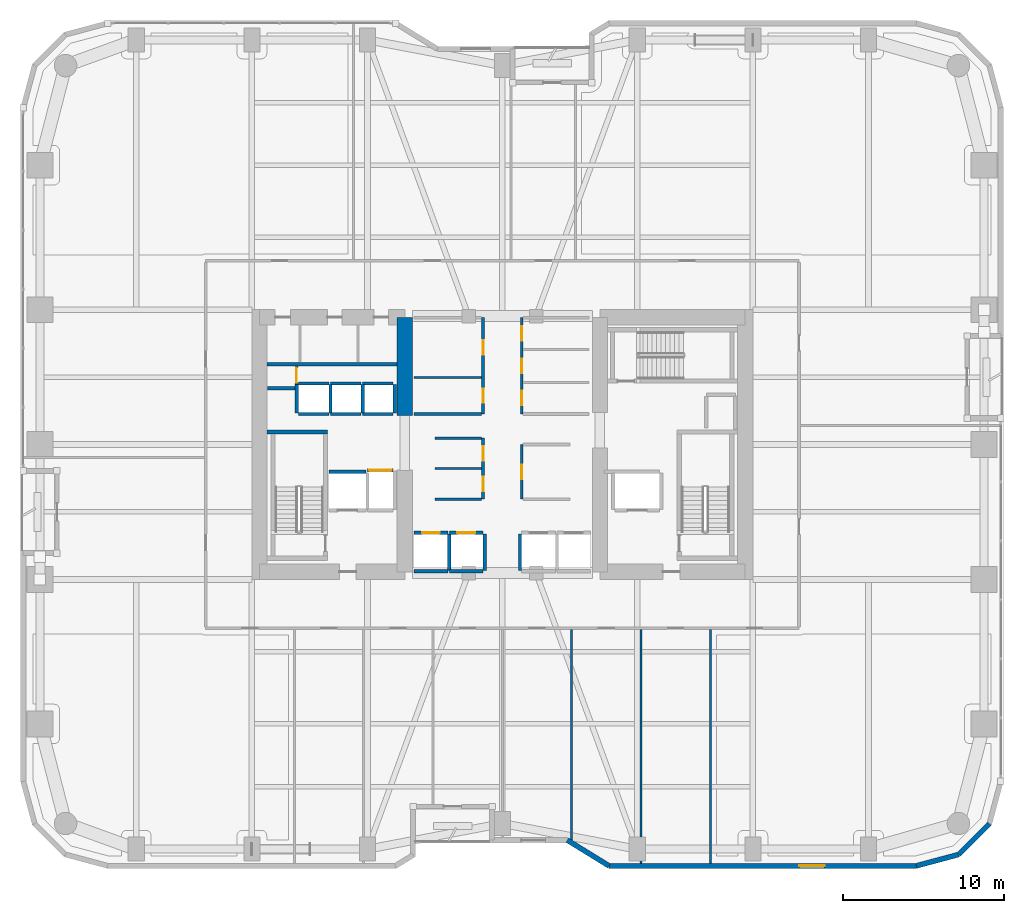
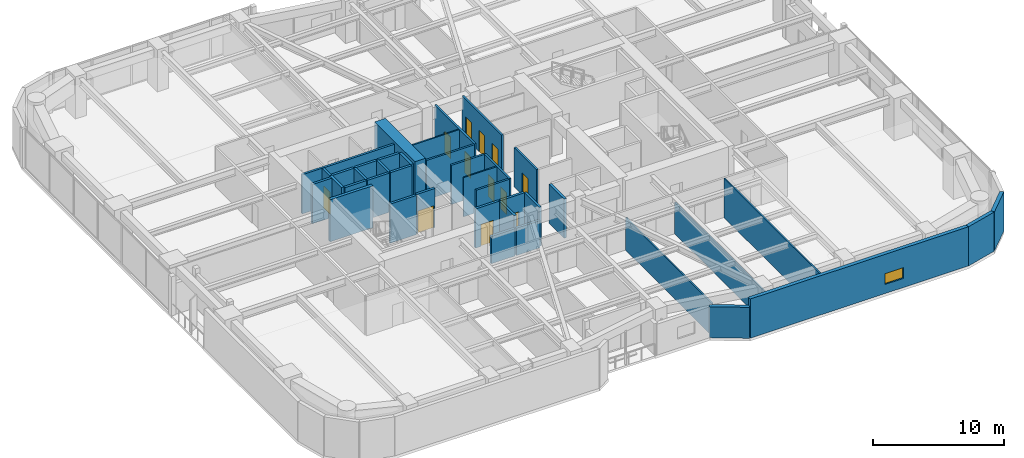
# One storey, part 23 of 28: 40 walls, 12 doors, 1 window, 13 openings.
"""IFC4 building model written with IfcOpenShell, lengths in metres."""

from ifc_helpers import new_model, si_unit, direction, frame, frame_2d, origin, place, context, subcontext, project, spatial, rectangle, extrude, material, layer, layer_set, type_object, element, fill, save


model = new_model("IFC4")

# Units and contexts
model_context = context("Model", 3, precision=1e-05, world=origin(), true_north=direction((0.0, 1.0)))
body_context = subcontext(model_context, "Body", "Model", "MODEL_VIEW")
ifc_project = project(units=[si_unit("LENGTHUNIT", "METRE"), si_unit("AREAUNIT", "SQUARE_METRE"), si_unit("VOLUMEUNIT", "CUBIC_METRE"), si_unit("PLANEANGLEUNIT", "RADIAN"), si_unit("MASSUNIT", "GRAM", prefix="KILO")], contexts=[model_context])

# Site, building, storey
site_placement = place(None, origin())
site = spatial("IfcSite", under=ifc_project, at=site_placement, CompositionType="ELEMENT")
building_placement = place(site_placement, origin())
building = spatial("IfcBuilding", under=site, at=building_placement, Name="Kiyonajd Concourse Tower", CompositionType="ELEMENT")
storey_placement = place(building_placement, frame((0.0, 0.0, 56.699951171875)))
storey = spatial("IfcBuildingStorey", under=building, at=storey_placement, Name="L15", CompositionType="ELEMENT", Elevation=56.699951171875)

# Walls
ifc_material_1 = material(Name="Concrete C80/95", Category="concrete")
ifc_layer_1 = layer(ifc_material_1, 0.949951171875)
ifc_layer_set_1 = layer_set([ifc_layer_1], Name="Concrete C80/95")
wall_type_1 = type_object("IfcWallType", Name="WL-CORE-950", PredefinedType="SHEAR", material=ifc_layer_set_1)
wall_1_placement = place(storey_placement, frame((41.925048828125, 37.800048828125, 0.0), z_axis=(0.0, 0.0, 1.0), x_axis=(0.0, 1.0, 0.0)))
element("IfcWall", 1, at=wall_1_placement, inside=storey, type_object=wall_type_1, Name="L15 West Core Inner North Shear Wall", PredefinedType="SHEAR", context=body_context, shape_type="SweptSolid", body=[
    extrude(rectangle(XDim=6.125, YDim=0.949951171875, at=frame_2d((3.0625, 0.0))), origin(), (0.0, 0.0, 1.0), 3.900146484375),
])
ifc_material_2 = material(Name="Precast concrete C50/60", Category="concrete")
ifc_layer_2 = layer(ifc_material_2, 0.320068359375)
ifc_layer_set_2 = layer_set([ifc_layer_2], Name="Precast concrete C50/60")
wall_type_2 = type_object("IfcWallType", Name="WL-EXT-320", PredefinedType="SOLIDWALL", material=ifc_layer_set_2)
wall_2_placement = place(storey_placement, frame((78.33349609375, 12.3828125, 0.0), z_axis=(0.0, 0.0, 1.0), x_axis=(-0.707106781187, -0.707106781187, 0.0)))
element("IfcWall", 2, at=wall_2_placement, inside=storey, type_object=wall_type_2, Name="L15 Exterior Concrete Frame Wall 26", PredefinedType="SOLIDWALL", context=body_context, shape_type="SweptSolid", body=[
    extrude(rectangle(XDim=2.7099609375, YDim=0.320068359375, at=frame_2d((1.35498046875, 0.0))), origin(), (0.0, 0.0, 1.0), 3.64013671875),
])
wall_3_placement = place(storey_placement, frame((76.417236328125, 10.466552734375, 0.0), z_axis=(0.0, 0.0, 1.0), x_axis=(-0.965964405026, -0.25867502435, 0.0)))
element("IfcWall", 3, at=wall_3_placement, inside=storey, type_object=wall_type_2, Name="L15 Exterior Concrete Frame Wall 27", PredefinedType="SOLIDWALL", context=body_context, shape_type="SweptSolid", body=[
    extrude(rectangle(XDim=2.7314453125, YDim=0.320068359375, at=frame_2d((1.36572265625, 0.0))), origin(), (0.0, 0.0, 1.0), 3.64013671875),
])

# Wall, opening, window
wall_4_placement = place(storey_placement, frame((73.77880859375, 9.760009765625, 0.0), z_axis=(0.0, 0.0, 1.0), x_axis=(-1.0, 0.0, 0.0)))
wall_4 = element("IfcWall", 4, at=wall_4_placement, inside=storey, type_object=wall_type_2, Name="L15 Exterior Concrete Frame Wall 28", PredefinedType="SOLIDWALL", context=body_context, shape_type="SweptSolid", body=[
    extrude(rectangle(XDim=19.133544921875, YDim=0.320068359375, at=frame_2d((9.56689453125, 0.0))), origin(), (0.0, 0.0, 1.0), 3.64013671875),
])
opening_1_placement = place(wall_4_placement, frame((5.7041015625, 0.0, 0.85009765625)))
opening_1 = element("IfcOpeningElement", 5, at=opening_1_placement, cuts=wall_4, Name="Opening WN6", PredefinedType="OPENING", context=body_context, shape_type="SweptSolid", body=[
    extrude(rectangle(XDim=1.60009765625, YDim=1.0, at=frame_2d((0.800048828125, 0.5))), frame((0.0, 0.169921875, 0.0), z_axis=(0.0, -1.0, 0.0), x_axis=(1.0, 0.0, 0.0)), (0.0, 0.0, 1.0), 0.340087890625),
])
ifc_material_3 = material(Name="Double Low-E Insulated Glass", Category="glass")
window_type = type_object("IfcWindowType", Name="WN-VIS-1600x1000", PartitioningType="SINGLE_PANEL", PredefinedType="WINDOW", material=ifc_material_3)
window_placement = place(opening_1_placement, origin())
window = element("IfcWindow", 6, at=window_placement, inside=storey, type_object=window_type, Name="L15 Modular Facade Vision Window 28", OverallHeight=1.0, OverallWidth=1.60009765625, PartitioningType="SINGLE_PANEL", PredefinedType="WINDOW", context=body_context, shape_type="SweptSolid", body=[
    extrude(rectangle(XDim=1.60009765625, YDim=1.0, at=frame_2d((0.800048828125, 0.5))), frame((0.0, 0.030029296875, 0.0), z_axis=(0.0, -1.0, 0.0), x_axis=(1.0, 0.0, 0.0)), (0.0, 0.0, 1.0), 0.06005859375),
])
fill(opening_1, window)

# Walls
wall_5_placement = place(storey_placement, frame((54.645263671875, 9.760009765625, 0.0), z_axis=(0.0, 0.0, 1.0), x_axis=(-0.851630857047, 0.524142044989, 0.0)))
element("IfcWall", 7, at=wall_5_placement, inside=storey, type_object=wall_type_2, Name="L15 Exterior Concrete Frame Wall 29", PredefinedType="SOLIDWALL", context=body_context, shape_type="SweptSolid", body=[
    extrude(rectangle(XDim=3.052734375, YDim=0.320068359375, at=frame_2d((1.5263671875, 0.0))), origin(), (0.0, 0.0, 1.0), 2.875),
])
ifc_material_4 = material(Name="Gypsum Board on Cold-Formed Steel Stud", Category="steel")
ifc_layer_3 = layer(ifc_material_4, 0.125)
ifc_layer_set_3 = layer_set([ifc_layer_3], Name="Gypsum Board on Cold-Formed Steel Stud")
wall_type_3 = type_object("IfcWallType", Name="WL-PART-125", PredefinedType="PARTITIONING", material=ifc_layer_set_3)
wall_6_placement = place(storey_placement, frame((43.800048828125, 34.5, 0.0), z_axis=(0.0, 0.0, 1.0), x_axis=(1.0, 0.0, 0.0)))
element("IfcWall", 8, at=wall_6_placement, inside=storey, type_object=wall_type_3, Name="L15 Interior Partition Wall", PredefinedType="PARTITIONING", context=body_context, shape_type="SweptSolid", body=[
    extrude(rectangle(XDim=2.912841796875, YDim=0.125, at=frame_2d((1.45654296875, 0.0))), origin(), (0.0, 0.0, 1.0), 3.64013671875),
])
wall_7_placement = place(storey_placement, frame((42.5, 40.179931640625, 0.0), z_axis=(0.0, 0.0, 1.0), x_axis=(1.0, 0.0, 0.0)))
element("IfcWall", 9, at=wall_7_placement, inside=storey, type_object=wall_type_3, Name="L15 Interior Partition Wall", PredefinedType="PARTITIONING", context=body_context, shape_type="SweptSolid", body=[
    extrude(rectangle(XDim=4.212890625, YDim=0.125, at=frame_2d((2.1064453125, 0.0))), origin(), (0.0, 0.0, 1.0), 3.64013671875),
])
wall_8_placement = place(storey_placement, frame((52.320068359375, 11.345947265625, 0.0), z_axis=(0.0, 0.0, 1.0), x_axis=(0.0, 1.0, 0.0)))
element("IfcWall", 10, at=wall_8_placement, inside=storey, type_object=wall_type_3, Name="L15 Interior Partition Wall", PredefinedType="PARTITIONING", context=body_context, shape_type="SweptSolid", body=[
    extrude(rectangle(XDim=13.126953125, YDim=0.125, at=frame_2d((6.5634765625, 0.0))), origin(), (0.0, 0.0, 1.0), 3.0029296875),
])
wall_9_placement = place(storey_placement, frame((56.639892578125, 9.9150390625, 0.0), z_axis=(0.0, 0.0, 1.0), x_axis=(0.0, 1.0, 0.0)))
element("IfcWall", 11, at=wall_9_placement, inside=storey, type_object=wall_type_3, Name="L15 Interior Partition Wall", PredefinedType="PARTITIONING", context=body_context, shape_type="SweptSolid", body=[
    extrude(rectangle(XDim=14.557861328125, YDim=0.125, at=frame_2d((7.27880859375, 0.0))), origin(), (0.0, 0.0, 1.0), 2.929931640625),
])
wall_10_placement = place(storey_placement, frame((60.9599609375, 9.9150390625, 0.0), z_axis=(0.0, 0.0, 1.0), x_axis=(0.0, 1.0, 0.0)))
element("IfcWall", 12, at=wall_10_placement, inside=storey, type_object=wall_type_3, Name="L15 Interior Partition Wall", PredefinedType="PARTITIONING", context=body_context, shape_type="SweptSolid", body=[
    extrude(rectangle(XDim=14.557861328125, YDim=0.125, at=frame_2d((7.27880859375, 0.0))), origin(), (0.0, 0.0, 1.0), 3.64013671875),
])
ifc_layer_4 = layer(ifc_material_4, 0.18994140625)
ifc_layer_set_4 = layer_set([ifc_layer_4], Name="Gypsum Board on Cold-Formed Steel Stud")
wall_type_4 = type_object("IfcWallType", Name="WL-PLMB-190", PredefinedType="PLUMBINGWALL", material=ifc_layer_set_4)
wall_11_placement = place(storey_placement, frame((33.35009765625, 41.0, 0.0), z_axis=(0.0, 0.0, 1.0), x_axis=(1.0, 0.0, 0.0)))
element("IfcWall", 13, at=wall_11_placement, inside=storey, type_object=wall_type_4, Name="L15 Interior Partition Wall", PredefinedType="PLUMBINGWALL", context=body_context, shape_type="SweptSolid", body=[
    extrude(rectangle(XDim=8.099853515625, YDim=0.18994140625, at=frame_2d((4.0498046875, 0.0))), origin(), (0.0, 0.0, 1.0), 3.64013671875),
])
ifc_layer_5 = layer(ifc_material_4, 0.2099609375)
ifc_layer_set_5 = layer_set([ifc_layer_5], Name="Gypsum Board on Cold-Formed Steel Stud")
wall_type_5 = type_object("IfcWallType", Name="WL-SHAFT-210", PredefinedType="PARTITIONING", material=ifc_layer_set_5)
wall_12_placement = place(storey_placement, frame((33.360107421875, 39.5, 0.0), z_axis=(0.0, 0.0, 1.0), x_axis=(1.0, 0.0, 0.0)))
element("IfcWall", 14, at=wall_12_placement, inside=storey, type_object=wall_type_5, Name="L15 Shaft Enclosure Wall", PredefinedType="PARTITIONING", context=body_context, shape_type="SweptSolid", body=[
    extrude(rectangle(XDim=1.85986328125, YDim=0.2099609375, at=frame_2d((0.929931640625, 0.0))), origin(), (0.0, 0.0, 1.0), 3.64013671875),
])
wall_13_placement = place(storey_placement, frame((37.199951171875, 34.300048828125, 0.0), z_axis=(0.0, 0.0, 1.0), x_axis=(1.0, 0.0, 0.0)))
element("IfcWall", 15, at=wall_13_placement, inside=storey, type_object=wall_type_5, Name="L15 Shaft Enclosure Wall", PredefinedType="PARTITIONING", context=body_context, shape_type="SweptSolid", body=[
    extrude(rectangle(XDim=2.300048828125, YDim=0.2099609375, at=frame_2d((1.14990234375, 0.0))), origin(), (0.0, 0.0, 1.0), 3.64013671875),
])

# Wall, opening, door
wall_14_placement = place(storey_placement, frame((39.60009765625, 34.39990234375, 0.0), z_axis=(0.0, 0.0, 1.0), x_axis=(1.0, 0.0, 0.0)))
wall_14 = element("IfcWall", 16, at=wall_14_placement, inside=storey, type_object=wall_type_5, Name="L15 Shaft Enclosure Wall", PredefinedType="PARTITIONING", context=body_context, shape_type="SweptSolid", body=[
    extrude(rectangle(XDim=1.599853515625, YDim=0.2099609375, at=frame_2d((0.7998046875, 0.0))), origin(), (0.0, 0.0, 1.0), 3.64013671875),
])
opening_2_placement = place(wall_14_placement, frame((0.10009765625, 0.0, 0.0)))
opening_2 = element("IfcOpeningElement", 17, at=opening_2_placement, cuts=wall_14, Name="Opening LD3", PredefinedType="OPENING", context=body_context, shape_type="SweptSolid", body=[
    extrude(rectangle(XDim=1.39990234375, YDim=2.06005859375, at=frame_2d((0.699951171875, 1.030029296875))), frame((0.0, 0.114990234375, 0.0), z_axis=(0.0, -1.0, 0.0), x_axis=(1.0, 0.0, 0.0)), (0.0, 0.0, 1.0), 0.22998046875),
])
ifc_material_5 = material(Name="Brushed Stainless Steel Cab Assembly", Category="steel")
door_type_1 = type_object("IfcDoorType", Name="DR-LD-1400", OperationType="DOUBLE_DOOR_SLIDING", PredefinedType="DOOR", material=ifc_material_5)
door_1_placement = place(opening_2_placement, origin())
door_1 = element("IfcDoor", 18, at=door_1_placement, inside=storey, type_object=door_type_1, Name="L15 Lift SVL1 Sliding Landing Door", OperationType="DOUBLE_DOOR_SLIDING", OverallHeight=2.06005859375, OverallWidth=1.39990234375, PredefinedType="DOOR", context=body_context, shape_type="SweptSolid", body=[
    extrude(rectangle(XDim=1.39990234375, YDim=2.06005859375, at=frame_2d((0.699951171875, 1.030029296875))), frame((0.0, 0.02490234375, 0.0), z_axis=(0.0, -1.0, 0.0), x_axis=(1.0, 0.0, 0.0)), (0.0, 0.0, 1.0), 0.050048828125),
])
fill(opening_2, door_1)

wall_15_placement = place(storey_placement, frame((42.5, 30.5, 0.0), z_axis=(0.0, 0.0, 1.0), x_axis=(1.0, 0.0, 0.0)))
wall_15 = element("IfcWall", 19, at=wall_15_placement, inside=storey, type_object=wall_type_5, Name="L15 Shaft Enclosure Wall", PredefinedType="PARTITIONING", context=body_context, shape_type="SweptSolid", body=[
    extrude(rectangle(XDim=2.10009765625, YDim=0.2099609375, at=frame_2d((1.050048828125, 0.0))), origin(), (0.0, 0.0, 1.0), 3.64013671875),
])
opening_3_placement = place(wall_15_placement, frame((0.5, 0.0, 0.0)))
opening_3 = element("IfcOpeningElement", 20, at=opening_3_placement, cuts=wall_15, Name="Opening LD1", PredefinedType="OPENING", context=body_context, shape_type="SweptSolid", body=[
    extrude(rectangle(XDim=1.10009765625, YDim=2.0400390625, at=frame_2d((0.550048828125, 1.02001953125))), frame((0.0, 0.114990234375, 0.0), z_axis=(0.0, -1.0, 0.0), x_axis=(1.0, 0.0, 0.0)), (0.0, 0.0, 1.0), 0.22998046875),
])
door_type_2 = type_object("IfcDoorType", Name="DR-LD-1100", OperationType="DOUBLE_DOOR_SLIDING", PredefinedType="DOOR", material=ifc_material_5)
door_2_placement = place(opening_3_placement, origin())
door_2 = element("IfcDoor", 21, at=door_2_placement, inside=storey, type_object=door_type_2, Name="L15 Lift PL-L1 Sliding Landing Door", OperationType="DOUBLE_DOOR_SLIDING", OverallHeight=2.0400390625, OverallWidth=1.10009765625, PredefinedType="DOOR", context=body_context, shape_type="SweptSolid", body=[
    extrude(rectangle(XDim=1.10009765625, YDim=2.0400390625, at=frame_2d((0.550048828125, 1.02001953125))), frame((0.0, 0.02490234375, 0.0), z_axis=(0.0, -1.0, 0.0), x_axis=(1.0, 0.0, 0.0)), (0.0, 0.0, 1.0), 0.050048828125),
])
fill(opening_3, door_2)

# Walls
wall_16_placement = place(storey_placement, frame((42.5, 28.10009765625, 0.0), z_axis=(0.0, 0.0, 1.0), x_axis=(1.0, 0.0, 0.0)))
element("IfcWall", 22, at=wall_16_placement, inside=storey, type_object=wall_type_5, Name="L15 Shaft Enclosure Wall", PredefinedType="PARTITIONING", context=body_context, shape_type="SweptSolid", body=[
    extrude(rectangle(XDim=2.10009765625, YDim=0.2099609375, at=frame_2d((1.050048828125, 0.0))), origin(), (0.0, 0.0, 1.0), 2.525146484375),
])
wall_17_placement = place(storey_placement, frame((44.699951171875, 28.159912109375, 0.0), z_axis=(0.0, 0.0, 1.0), x_axis=(0.0, 1.0, 0.0)))
element("IfcWall", 23, at=wall_17_placement, inside=storey, type_object=wall_type_5, Name="L15 Shaft Enclosure Wall", PredefinedType="PARTITIONING", context=body_context, shape_type="SweptSolid", body=[
    extrude(rectangle(XDim=2.280029296875, YDim=0.2099609375, at=frame_2d((1.14013671875, 0.0))), origin(), (0.0, 0.0, 1.0), 3.64013671875),
])

# Wall, opening, door
wall_18_placement = place(storey_placement, frame((44.699951171875, 30.5, 0.0), z_axis=(0.0, 0.0, 1.0), x_axis=(1.0, 0.0, 0.0)))
wall_18 = element("IfcWall", 24, at=wall_18_placement, inside=storey, type_object=wall_type_5, Name="L15 Shaft Enclosure Wall", PredefinedType="PARTITIONING", context=body_context, shape_type="SweptSolid", body=[
    extrude(rectangle(XDim=2.10009765625, YDim=0.2099609375, at=frame_2d((1.050048828125, 0.0))), origin(), (0.0, 0.0, 1.0), 3.64013671875),
])
opening_4_placement = place(wall_18_placement, frame((0.5, 0.0, 0.0)))
opening_4 = element("IfcOpeningElement", 25, at=opening_4_placement, cuts=wall_18, Name="Opening LD1", PredefinedType="OPENING", context=body_context, shape_type="SweptSolid", body=[
    extrude(rectangle(XDim=1.10009765625, YDim=2.0400390625, at=frame_2d((0.550048828125, 1.02001953125))), frame((0.0, 0.114990234375, 0.0), z_axis=(0.0, -1.0, 0.0), x_axis=(1.0, 0.0, 0.0)), (0.0, 0.0, 1.0), 0.22998046875),
])
door_3_placement = place(opening_4_placement, origin())
door_3 = element("IfcDoor", 26, at=door_3_placement, inside=storey, type_object=door_type_2, Name="L15 Lift PL-L2 Sliding Landing Door", OperationType="DOUBLE_DOOR_SLIDING", OverallHeight=2.0400390625, OverallWidth=1.10009765625, PredefinedType="DOOR", context=body_context, shape_type="SweptSolid", body=[
    extrude(rectangle(XDim=1.10009765625, YDim=2.0400390625, at=frame_2d((0.550048828125, 1.02001953125))), frame((0.0, 0.02490234375, 0.0), z_axis=(0.0, -1.0, 0.0), x_axis=(1.0, 0.0, 0.0)), (0.0, 0.0, 1.0), 0.050048828125),
])
fill(opening_4, door_3)

# Walls
wall_19_placement = place(storey_placement, frame((44.699951171875, 28.10009765625, 0.0), z_axis=(0.0, 0.0, 1.0), x_axis=(1.0, 0.0, 0.0)))
element("IfcWall", 27, at=wall_19_placement, inside=storey, type_object=wall_type_5, Name="L15 Shaft Enclosure Wall", PredefinedType="PARTITIONING", context=body_context, shape_type="SweptSolid", body=[
    extrude(rectangle(XDim=2.10009765625, YDim=0.2099609375, at=frame_2d((1.050048828125, 0.0))), origin(), (0.0, 0.0, 1.0), 2.525146484375),
])
for number, where, z_axis, x_axis, name in (
    (28, (46.89990234375, 28.159912109375, 0.0), (0.0, 0.0, 1.0), (0.0, 1.0, 0.0), "L15 Shaft Enclosure Wall"),
    (29, (49.10009765625, 28.159912109375, 0.0), (0.0, 0.0, 1.0), (0.0, 1.0, 0.0), "L15 Shaft Enclosure Wall"),
):
    element("IfcWall", number, at=place(storey_placement, frame(where, z_axis=z_axis, x_axis=x_axis)), inside=storey, type_object=wall_type_5, Name=name, PredefinedType="PARTITIONING", context=body_context, shape_type="SweptSolid", body=[
        extrude(rectangle(XDim=2.280029296875, YDim=0.2099609375, at=frame_2d((1.14013671875, 0.0))), origin(), (0.0, 0.0, 1.0), 3.64013671875),
    ])
for number, where, z_axis, x_axis, name in (
    (30, (35.300048828125, 37.89990234375, 0.0), (0.0, 0.0, 1.0), (1.0, 0.0, 0.0), "L15 Shaft Enclosure Wall"),
    (31, (35.300048828125, 39.800048828125, 0.0), (0.0, 0.0, 1.0), (1.0, 0.0, 0.0), "L15 Shaft Enclosure Wall"),
):
    element("IfcWall", number, at=place(storey_placement, frame(where, z_axis=z_axis, x_axis=x_axis)), inside=storey, type_object=wall_type_5, Name=name, PredefinedType="PARTITIONING", context=body_context, shape_type="SweptSolid", body=[
        extrude(rectangle(XDim=1.89990234375, YDim=0.2099609375, at=frame_2d((0.949951171875, 0.0))), origin(), (0.0, 0.0, 1.0), 3.64013671875),
    ])
for number, where, z_axis, x_axis, name in (
    (32, (35.199951171875, 37.9599609375, 0.0), (0.0, 0.0, 1.0), (0.0, 1.0, 0.0), "L15 Shaft Enclosure Wall"),
    (33, (37.300048828125, 37.9599609375, 0.0), (0.0, 0.0, 1.0), (0.0, 1.0, 0.0), "L15 Shaft Enclosure Wall"),
):
    element("IfcWall", number, at=place(storey_placement, frame(where, z_axis=z_axis, x_axis=x_axis)), inside=storey, type_object=wall_type_5, Name=name, PredefinedType="PARTITIONING", context=body_context, shape_type="SweptSolid", body=[
        extrude(rectangle(XDim=1.780029296875, YDim=0.2099609375, at=frame_2d((0.89013671875, 0.0))), origin(), (0.0, 0.0, 1.0), 3.64013671875),
    ])
for number, where, z_axis, x_axis, name in (
    (34, (37.300048828125, 37.89990234375, 0.0), (0.0, 0.0, 1.0), (1.0, 0.0, 0.0), "L15 Shaft Enclosure Wall"),
    (35, (37.300048828125, 39.800048828125, 0.0), (0.0, 0.0, 1.0), (1.0, 0.0, 0.0), "L15 Shaft Enclosure Wall"),
):
    element("IfcWall", number, at=place(storey_placement, frame(where, z_axis=z_axis, x_axis=x_axis)), inside=storey, type_object=wall_type_5, Name=name, PredefinedType="PARTITIONING", context=body_context, shape_type="SweptSolid", body=[
        extrude(rectangle(XDim=1.89990234375, YDim=0.2099609375, at=frame_2d((0.949951171875, 0.0))), origin(), (0.0, 0.0, 1.0), 3.64013671875),
    ])
wall_20_placement = place(storey_placement, frame((39.300048828125, 37.9599609375, 0.0), z_axis=(0.0, 0.0, 1.0), x_axis=(0.0, 1.0, 0.0)))
element("IfcWall", 36, at=wall_20_placement, inside=storey, type_object=wall_type_5, Name="L15 Shaft Enclosure Wall", PredefinedType="PARTITIONING", context=body_context, shape_type="SweptSolid", body=[
    extrude(rectangle(XDim=1.780029296875, YDim=0.2099609375, at=frame_2d((0.89013671875, 0.0))), origin(), (0.0, 0.0, 1.0), 3.64013671875),
])
for number, where, z_axis, x_axis, name in (
    (37, (39.300048828125, 37.89990234375, 0.0), (0.0, 0.0, 1.0), (1.0, 0.0, 0.0), "L15 Shaft Enclosure Wall"),
    (38, (39.300048828125, 39.800048828125, 0.0), (0.0, 0.0, 1.0), (1.0, 0.0, 0.0), "L15 Shaft Enclosure Wall"),
):
    element("IfcWall", number, at=place(storey_placement, frame(where, z_axis=z_axis, x_axis=x_axis)), inside=storey, type_object=wall_type_5, Name=name, PredefinedType="PARTITIONING", context=body_context, shape_type="SweptSolid", body=[
        extrude(rectangle(XDim=1.89990234375, YDim=0.2099609375, at=frame_2d((0.949951171875, 0.0))), origin(), (0.0, 0.0, 1.0), 3.64013671875),
    ])
wall_21_placement = place(storey_placement, frame((41.300048828125, 37.9599609375, 0.0), z_axis=(0.0, 0.0, 1.0), x_axis=(0.0, 1.0, 0.0)))
element("IfcWall", 39, at=wall_21_placement, inside=storey, type_object=wall_type_5, Name="L15 Shaft Enclosure Wall", PredefinedType="PARTITIONING", context=body_context, shape_type="SweptSolid", body=[
    extrude(rectangle(XDim=1.780029296875, YDim=0.2099609375, at=frame_2d((0.89013671875, 0.0))), origin(), (0.0, 0.0, 1.0), 3.64013671875),
])

# Wall, opening, door
wall_22_placement = place(storey_placement, frame((35.179931640625, 39.739990234375, 0.0), z_axis=(0.0, 0.0, 1.0), x_axis=(0.0, 1.0, 0.0)))
wall_22 = element("IfcWall", 40, at=wall_22_placement, inside=storey, type_object=wall_type_5, Name="L15 Interior Partition Wall", PredefinedType="PARTITIONING", context=body_context, shape_type="SweptSolid", body=[
    extrude(rectangle(XDim=1.159912109375, YDim=0.2099609375, at=frame_2d((0.580078125, 0.0))), origin(), (0.0, 0.0, 1.0), 3.64013671875),
])
opening_5_placement = place(wall_22_placement, frame((0.10498046875, 0.0, 0.0)))
opening_5 = element("IfcOpeningElement", 41, at=opening_5_placement, cuts=wall_22, Name="Opening DF3", PredefinedType="OPENING", context=body_context, shape_type="SweptSolid", body=[
    extrude(rectangle(XDim=0.949951171875, YDim=2.0400390625, at=frame_2d((0.47509765625, 1.02001953125))), frame((0.0, 0.114990234375, 0.0), z_axis=(0.0, -1.0, 0.0), x_axis=(1.0, 0.0, 0.0)), (0.0, 0.0, 1.0), 0.22998046875),
])
door_type_3 = type_object("IfcDoorType", Name="DR-FD60-950", OperationType="NOTDEFINED", PredefinedType="DOOR", material=ifc_material_5)
door_4_placement = place(opening_5_placement, origin())
door_4 = element("IfcDoor", 42, at=door_4_placement, inside=storey, type_object=door_type_3, Name="L15 Electrical Riser Access Door", OperationType="SINGLE_SWING_LEFT", OverallHeight=2.0400390625, OverallWidth=0.949951171875, PredefinedType="DOOR", context=body_context, shape_type="SweptSolid", body=[
    extrude(rectangle(XDim=0.949951171875, YDim=2.0400390625, at=frame_2d((0.47509765625, 1.02001953125))), frame((0.0, 0.02490234375, 0.0), z_axis=(0.0, -1.0, 0.0), x_axis=(1.0, 0.0, 0.0)), (0.0, 0.0, 1.0), 0.050048828125),
])
fill(opening_5, door_4)

# Wall, openings, doors
ifc_layer_6 = layer(ifc_material_4, 0.169921875)
ifc_layer_set_6 = layer_set([ifc_layer_6], Name="Gypsum Board on Cold-Formed Steel Stud")
wall_type_6 = type_object("IfcWallType", Name="WL-SMK-170", PredefinedType="PARTITIONING", material=ifc_layer_set_6)
wall_23_placement = place(storey_placement, frame((46.800048828125, 32.60009765625, 0.0), z_axis=(0.0, 0.0, 1.0), x_axis=(0.0, 1.0, 0.0)))
wall_23 = element("IfcWall", 43, at=wall_23_placement, inside=storey, type_object=wall_type_6, Name="L15 Interior Partition Wall", PredefinedType="PARTITIONING", context=body_context, shape_type="SweptSolid", body=[
    extrude(rectangle(XDim=3.7998046875, YDim=0.169921875, at=frame_2d((1.89990234375, 0.0))), origin(), (0.0, 0.0, 1.0), 3.64013671875),
])
opening_6_placement = place(wall_23_placement, frame((0.5, 0.0, 0.0)))
opening_6 = element("IfcOpeningElement", 44, at=opening_6_placement, cuts=wall_23, Name="Opening DI2", PredefinedType="OPENING", context=body_context, shape_type="SweptSolid", body=[
    extrude(rectangle(XDim=0.89990234375, YDim=2.02001953125, at=frame_2d((0.449951171875, 1.010009765625))), frame((0.0, 0.094970703125, 0.0), z_axis=(0.0, -1.0, 0.0), x_axis=(1.0, 0.0, 0.0)), (0.0, 0.0, 1.0), 0.18994140625),
])
opening_7_placement = place(wall_23_placement, frame((2.39990234375, 0.0, 0.0)))
opening_7 = element("IfcOpeningElement", 45, at=opening_7_placement, cuts=wall_23, Name="Opening DI2", PredefinedType="OPENING", context=body_context, shape_type="SweptSolid", body=[
    extrude(rectangle(XDim=0.89990234375, YDim=2.02001953125, at=frame_2d((0.449951171875, 1.010009765625))), frame((0.0, 0.094970703125, 0.0), z_axis=(0.0, -1.0, 0.0), x_axis=(1.0, 0.0, 0.0)), (0.0, 0.0, 1.0), 0.18994140625),
])
ifc_material_6 = material(Name="Natural Oak Acoustic Timber Veneer", Category="wood")
door_type_4 = type_object("IfcDoorType", Name="DR-INT-900", OperationType="NOTDEFINED", PredefinedType="DOOR", material=ifc_material_6)
door_5_placement = place(opening_6_placement, origin())
door_5 = element("IfcDoor", 46, at=door_5_placement, inside=storey, type_object=door_type_4, Name="L15 Interior Door", OperationType="SINGLE_SWING_LEFT", OverallHeight=2.02001953125, OverallWidth=0.89990234375, PredefinedType="DOOR", context=body_context, shape_type="SweptSolid", body=[
    extrude(rectangle(XDim=0.89990234375, YDim=2.02001953125, at=frame_2d((0.449951171875, 1.010009765625))), frame((0.0, 0.02490234375, 0.0), z_axis=(0.0, -1.0, 0.0), x_axis=(1.0, 0.0, 0.0)), (0.0, 0.0, 1.0), 0.050048828125),
])
fill(opening_6, door_5)
door_6_placement = place(opening_7_placement, origin())
door_6 = element("IfcDoor", 47, at=door_6_placement, inside=storey, type_object=door_type_4, Name="L15 Interior Door", OperationType="SINGLE_SWING_RIGHT", OverallHeight=2.02001953125, OverallWidth=0.89990234375, PredefinedType="DOOR", context=body_context, shape_type="SweptSolid", body=[
    extrude(rectangle(XDim=0.89990234375, YDim=2.02001953125, at=frame_2d((0.449951171875, 1.010009765625))), frame((0.0, 0.02490234375, 0.0), z_axis=(0.0, -1.0, 0.0), x_axis=(1.0, 0.0, 0.0)), (0.0, 0.0, 1.0), 0.050048828125),
])
fill(opening_7, door_6)

# Walls
for number, where, z_axis, x_axis, name in (
    (48, (43.800048828125, 32.60009765625, 0.0), (0.0, 0.0, 1.0), (1.0, 0.0, 0.0), "L15 Interior Partition Wall"),
    (49, (43.800048828125, 36.39990234375, 0.0), (0.0, 0.0, 1.0), (1.0, 0.0, 0.0), "L15 Interior Partition Wall"),
):
    element("IfcWall", number, at=place(storey_placement, frame(where, z_axis=z_axis, x_axis=x_axis)), inside=storey, type_object=wall_type_6, Name=name, PredefinedType="PARTITIONING", context=body_context, shape_type="SweptSolid", body=[
        extrude(rectangle(XDim=2.912841796875, YDim=0.169921875, at=frame_2d((1.45654296875, 0.0))), origin(), (0.0, 0.0, 1.0), 3.64013671875),
    ])

# Wall, opening, door
wall_24_placement = place(storey_placement, frame((49.199951171875, 32.60009765625, 0.0), z_axis=(0.0, 0.0, 1.0), x_axis=(0.0, 1.0, 0.0)))
wall_24 = element("IfcWall", 50, at=wall_24_placement, inside=storey, type_object=wall_type_6, Name="L15 Interior Partition Wall", PredefinedType="PARTITIONING", context=body_context, shape_type="SweptSolid", body=[
    extrude(rectangle(XDim=3.39990234375, YDim=0.169921875, at=frame_2d((1.699951171875, 0.0))), origin(), (0.0, 0.0, 1.0), 3.64013671875),
])
opening_8_placement = place(wall_24_placement, frame((1.25, 0.0, 0.0)))
opening_8 = element("IfcOpeningElement", 51, at=opening_8_placement, cuts=wall_24, Name="Opening DI2", PredefinedType="OPENING", context=body_context, shape_type="SweptSolid", body=[
    extrude(rectangle(XDim=0.89990234375, YDim=2.02001953125, at=frame_2d((0.449951171875, 1.010009765625))), frame((0.0, 0.094970703125, 0.0), z_axis=(0.0, -1.0, 0.0), x_axis=(1.0, 0.0, 0.0)), (0.0, 0.0, 1.0), 0.18994140625),
])
door_7_placement = place(opening_8_placement, origin())
door_7 = element("IfcDoor", 52, at=door_7_placement, inside=storey, type_object=door_type_4, Name="L15 Interior Door", OperationType="SINGLE_SWING_LEFT", OverallHeight=2.02001953125, OverallWidth=0.89990234375, PredefinedType="DOOR", context=body_context, shape_type="SweptSolid", body=[
    extrude(rectangle(XDim=0.89990234375, YDim=2.02001953125, at=frame_2d((0.449951171875, 1.010009765625))), frame((0.0, 0.02490234375, 0.0), z_axis=(0.0, -1.0, 0.0), x_axis=(1.0, 0.0, 0.0)), (0.0, 0.0, 1.0), 0.050048828125),
])
fill(opening_8, door_7)

# Wall, openings, doors
wall_25_placement = place(storey_placement, frame((46.800048828125, 37.89990234375, 0.0), z_axis=(0.0, 0.0, 1.0), x_axis=(0.0, 1.0, 0.0)))
wall_25 = element("IfcWall", 53, at=wall_25_placement, inside=storey, type_object=wall_type_6, Name="L15 Interior Partition Wall", PredefinedType="PARTITIONING", context=body_context, shape_type="SweptSolid", body=[
    extrude(rectangle(XDim=6.0, YDim=0.169921875, at=frame_2d((3.0, 0.0))), origin(), (0.0, 0.0, 1.0), 3.64013671875),
])
opening_9_placement = place(wall_25_placement, frame((0.68994140625, 0.0, 0.0)))
opening_9 = element("IfcOpeningElement", 54, at=opening_9_placement, cuts=wall_25, Name="Opening DI2", PredefinedType="OPENING", context=body_context, shape_type="SweptSolid", body=[
    extrude(rectangle(XDim=0.89990234375, YDim=2.02001953125, at=frame_2d((0.449951171875, 1.010009765625))), frame((0.0, 0.094970703125, 0.0), z_axis=(0.0, -1.0, 0.0), x_axis=(1.0, 0.0, 0.0)), (0.0, 0.0, 1.0), 0.18994140625),
])
opening_10_placement = place(wall_25_placement, frame((3.68994140625, 0.0, 0.0)))
opening_10 = element("IfcOpeningElement", 55, at=opening_10_placement, cuts=wall_25, Name="Opening DI2", PredefinedType="OPENING", context=body_context, shape_type="SweptSolid", body=[
    extrude(rectangle(XDim=0.89990234375, YDim=2.02001953125, at=frame_2d((0.449951171875, 1.010009765625))), frame((0.0, 0.094970703125, 0.0), z_axis=(0.0, -1.0, 0.0), x_axis=(1.0, 0.0, 0.0)), (0.0, 0.0, 1.0), 0.18994140625),
])
door_8_placement = place(opening_9_placement, origin())
door_8 = element("IfcDoor", 56, at=door_8_placement, inside=storey, type_object=door_type_4, Name="L15 Interior Door", OperationType="SINGLE_SWING_RIGHT", OverallHeight=2.02001953125, OverallWidth=0.89990234375, PredefinedType="DOOR", context=body_context, shape_type="SweptSolid", body=[
    extrude(rectangle(XDim=0.89990234375, YDim=2.02001953125, at=frame_2d((0.449951171875, 1.010009765625))), frame((0.0, 0.02490234375, 0.0), z_axis=(0.0, -1.0, 0.0), x_axis=(1.0, 0.0, 0.0)), (0.0, 0.0, 1.0), 0.050048828125),
])
fill(opening_9, door_8)
door_9_placement = place(opening_10_placement, origin())
door_9 = element("IfcDoor", 57, at=door_9_placement, inside=storey, type_object=door_type_4, Name="L15 Interior Door", OperationType="SINGLE_SWING_LEFT", OverallHeight=2.02001953125, OverallWidth=0.89990234375, PredefinedType="DOOR", context=body_context, shape_type="SweptSolid", body=[
    extrude(rectangle(XDim=0.89990234375, YDim=2.02001953125, at=frame_2d((0.449951171875, 1.010009765625))), frame((0.0, 0.02490234375, 0.0), z_axis=(0.0, -1.0, 0.0), x_axis=(1.0, 0.0, 0.0)), (0.0, 0.0, 1.0), 0.050048828125),
])
fill(opening_10, door_9)

# Wall
wall_26_placement = place(storey_placement, frame((42.5, 37.89990234375, 0.0), z_axis=(0.0, 0.0, 1.0), x_axis=(1.0, 0.0, 0.0)))
element("IfcWall", 58, at=wall_26_placement, inside=storey, type_object=wall_type_6, Name="L15 Interior Partition Wall", PredefinedType="PARTITIONING", context=body_context, shape_type="SweptSolid", body=[
    extrude(rectangle(XDim=4.212890625, YDim=0.169921875, at=frame_2d((2.1064453125, 0.0))), origin(), (0.0, 0.0, 1.0), 3.64013671875),
])

# Wall, openings, doors
wall_27_placement = place(storey_placement, frame((49.199951171875, 37.89990234375, 0.0), z_axis=(0.0, 0.0, 1.0), x_axis=(0.0, 1.0, 0.0)))
wall_27 = element("IfcWall", 59, at=wall_27_placement, inside=storey, type_object=wall_type_6, Name="L15 Interior Partition Wall", PredefinedType="PARTITIONING", context=body_context, shape_type="SweptSolid", body=[
    extrude(rectangle(XDim=6.0, YDim=0.169921875, at=frame_2d((3.0, 0.0))), origin(), (0.0, 0.0, 1.0), 3.64013671875),
])
opening_11_placement = place(wall_27_placement, frame((0.5400390625, 0.0, 0.0)))
opening_11 = element("IfcOpeningElement", 60, at=opening_11_placement, cuts=wall_27, Name="Opening DI2", PredefinedType="OPENING", context=body_context, shape_type="SweptSolid", body=[
    extrude(rectangle(XDim=0.89990234375, YDim=2.02001953125, at=frame_2d((0.449951171875, 1.010009765625))), frame((0.0, 0.094970703125, 0.0), z_axis=(0.0, -1.0, 0.0), x_axis=(1.0, 0.0, 0.0)), (0.0, 0.0, 1.0), 0.18994140625),
])
opening_12_placement = place(wall_27_placement, frame((2.550048828125, 0.0, 0.0)))
opening_12 = element("IfcOpeningElement", 61, at=opening_12_placement, cuts=wall_27, Name="Opening DI2", PredefinedType="OPENING", context=body_context, shape_type="SweptSolid", body=[
    extrude(rectangle(XDim=0.89990234375, YDim=2.02001953125, at=frame_2d((0.449951171875, 1.010009765625))), frame((0.0, 0.094970703125, 0.0), z_axis=(0.0, -1.0, 0.0), x_axis=(1.0, 0.0, 0.0)), (0.0, 0.0, 1.0), 0.18994140625),
])
opening_13_placement = place(wall_27_placement, frame((4.56005859375, 0.0, 0.0)))
opening_13 = element("IfcOpeningElement", 62, at=opening_13_placement, cuts=wall_27, Name="Opening DI2", PredefinedType="OPENING", context=body_context, shape_type="SweptSolid", body=[
    extrude(rectangle(XDim=0.89990234375, YDim=2.02001953125, at=frame_2d((0.449951171875, 1.010009765625))), frame((0.0, 0.094970703125, 0.0), z_axis=(0.0, -1.0, 0.0), x_axis=(1.0, 0.0, 0.0)), (0.0, 0.0, 1.0), 0.18994140625),
])
door_10_placement = place(opening_11_placement, origin())
door_10 = element("IfcDoor", 63, at=door_10_placement, inside=storey, type_object=door_type_4, Name="L15 Interior Door", OperationType="SINGLE_SWING_RIGHT", OverallHeight=2.02001953125, OverallWidth=0.89990234375, PredefinedType="DOOR", context=body_context, shape_type="SweptSolid", body=[
    extrude(rectangle(XDim=0.89990234375, YDim=2.02001953125, at=frame_2d((0.449951171875, 1.010009765625))), frame((0.0, 0.02490234375, 0.0), z_axis=(0.0, -1.0, 0.0), x_axis=(1.0, 0.0, 0.0)), (0.0, 0.0, 1.0), 0.050048828125),
])
fill(opening_11, door_10)
door_11_placement = place(opening_12_placement, origin())
door_11 = element("IfcDoor", 64, at=door_11_placement, inside=storey, type_object=door_type_4, Name="L15 Interior Door", OperationType="SINGLE_SWING_LEFT", OverallHeight=2.02001953125, OverallWidth=0.89990234375, PredefinedType="DOOR", context=body_context, shape_type="SweptSolid", body=[
    extrude(rectangle(XDim=0.89990234375, YDim=2.02001953125, at=frame_2d((0.449951171875, 1.010009765625))), frame((0.0, 0.02490234375, 0.0), z_axis=(0.0, -1.0, 0.0), x_axis=(1.0, 0.0, 0.0)), (0.0, 0.0, 1.0), 0.050048828125),
])
fill(opening_12, door_11)
door_12_placement = place(opening_13_placement, origin())
door_12 = element("IfcDoor", 65, at=door_12_placement, inside=storey, type_object=door_type_4, Name="L15 Interior Door", OperationType="SINGLE_SWING_RIGHT", OverallHeight=2.02001953125, OverallWidth=0.89990234375, PredefinedType="DOOR", context=body_context, shape_type="SweptSolid", body=[
    extrude(rectangle(XDim=0.89990234375, YDim=2.02001953125, at=frame_2d((0.449951171875, 1.010009765625))), frame((0.0, 0.02490234375, 0.0), z_axis=(0.0, -1.0, 0.0), x_axis=(1.0, 0.0, 0.0)), (0.0, 0.0, 1.0), 0.050048828125),
])
fill(opening_13, door_12)

# Wall
ifc_material_7 = material(Name="Concrete C50/60", Category="concrete")
ifc_layer_7 = layer(ifc_material_7, 0.260009765625)
ifc_layer_set_7 = layer_set([ifc_layer_7], Name="Concrete C50/60")
wall_type_7 = type_object("IfcWallType", Name="WL-STAIR-260", PredefinedType="SHEAR", material=ifc_layer_set_7)
wall_28_placement = place(storey_placement, frame((33.35009765625, 36.780029296875, 0.0), z_axis=(0.0, 0.0, 1.0), x_axis=(1.0, 0.0, 0.0)))
element("IfcWall", 66, at=wall_28_placement, inside=storey, type_object=wall_type_7, Name="L15 Stair ST1 Structural North Wall", PredefinedType="SHEAR", context=body_context, shape_type="SweptSolid", body=[
    extrude(rectangle(XDim=3.760009765625, YDim=0.260009765625, at=frame_2d((1.8798828125, 0.0))), origin(), (0.0, 0.0, 1.0), 3.900146484375),
])

save(model, "model.ifc")
